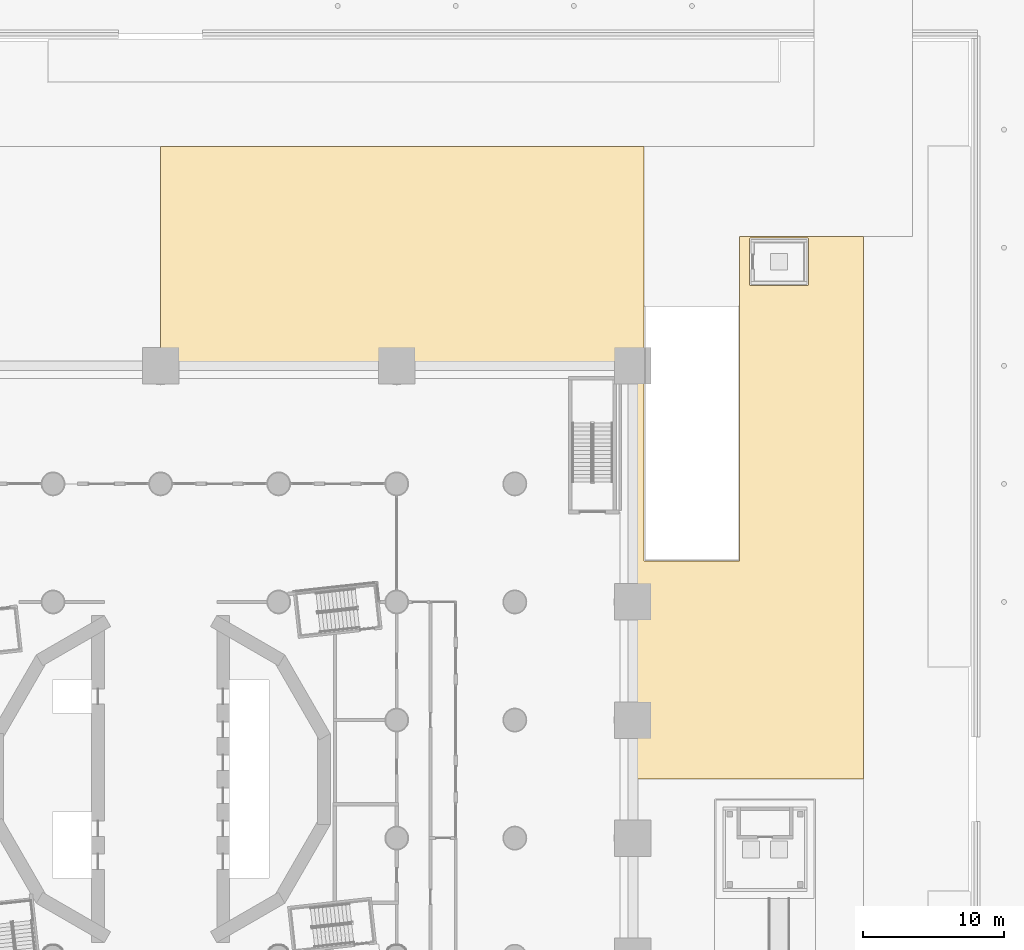
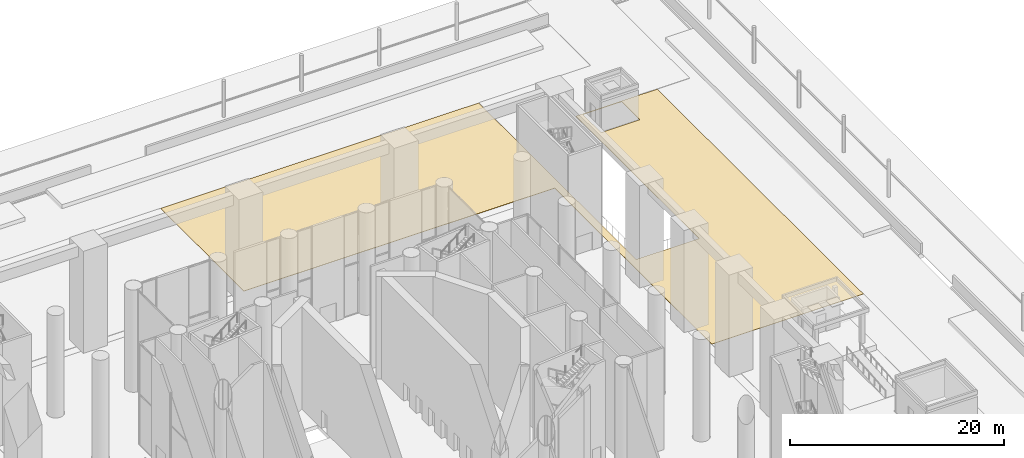
# One storey, part 45 of 52: 1 covering.
"""IFC4 building model written with IfcOpenShell, lengths in metres."""

from ifc_helpers import new_model, si_unit, direction, origin, place, context, subcontext, project, spatial, polyline, outline, extrude, material, layer, layer_set, type_object, element, save


model = new_model("IFC4")

# Units and contexts
model_context = context("Model", 3, precision=1e-05, world=origin(), true_north=direction((0.0, 1.0)))
body_context = subcontext(model_context, "Body", "Model", "MODEL_VIEW")
ifc_project = project(units=[si_unit("LENGTHUNIT", "METRE"), si_unit("AREAUNIT", "SQUARE_METRE"), si_unit("VOLUMEUNIT", "CUBIC_METRE"), si_unit("PLANEANGLEUNIT", "RADIAN"), si_unit("MASSUNIT", "GRAM", prefix="KILO")], contexts=[model_context])

# Site, building, storey
site_placement = place(None, origin())
site = spatial("IfcSite", under=ifc_project, at=site_placement, CompositionType="ELEMENT")
building_placement = place(site_placement, origin())
building = spatial("IfcBuilding", under=site, at=building_placement, Name="Cantera Rosa Tower", CompositionType="ELEMENT")
storey_placement = place(building_placement, origin())
storey = spatial("IfcBuildingStorey", under=building, at=storey_placement, Name="L00", CompositionType="ELEMENT", Elevation=0.0)

# Covering
ifc_material = material(Name="Stone paving", Category="masonry")
ifc_layer = layer(ifc_material, 0.0400390625)
ifc_layer_set = layer_set([ifc_layer], Name="Plaza paving 40")
covering_type = type_object("IfcCoveringType", Name="Plaza paving 40", PredefinedType="USERDEFINED", material=ifc_layer_set)
covering_placement = place(storey_placement, origin())
element("IfcCovering", 1, at=covering_placement, inside=storey, type_object=covering_type, Name="Plaza paving NE", ObjectType="PAVING", PredefinedType="USERDEFINED", context=body_context, shape_type="SweptSolid", body=[
    extrude(outline(polyline([(34.39990234375, 45.0), (0.0, 45.0), (0.0, 29.39990234375), (33.60009765625, 29.39990234375), (33.60009765625, 0.0), (50.0, 0.0), (50.0, 38.60009765625), (46.5, 38.60009765625), (41.199951171875, 38.60009765625), (41.199951171875, 33.60009765625), (41.199951171875, 15.5166015625), (34.39990234375, 15.5166015625), (34.39990234375, 33.60009765625), (34.39990234375, 38.60009765625), (34.39990234375, 45.0)]), holes=[polyline([(41.990234375, 35.1005859375), (42.0, 35.10009765625), (46.0, 35.10009765625), (46.009765625, 35.1005859375), (46.01953125, 35.101806640625), (46.029052734375, 35.104248046875), (46.038330078125, 35.107666015625), (46.047119140625, 35.11181640625), (46.0556640625, 35.116943359375), (46.0634765625, 35.122802734375), (46.07080078125, 35.12939453125), (46.077392578125, 35.13671875), (46.0830078125, 35.144287109375), (46.088134765625, 35.15283203125), (46.09228515625, 35.16162109375), (46.095703125, 35.1708984375), (46.09814453125, 35.180419921875), (46.099609375, 35.190185546875), (46.10009765625, 35.199951171875), (46.10009765625, 38.39990234375), (46.099609375, 38.409912109375), (46.09814453125, 38.41943359375), (46.095703125, 38.428955078125), (46.09228515625, 38.438232421875), (46.088134765625, 38.447021484375), (46.0830078125, 38.45556640625), (46.077392578125, 38.46337890625), (46.07080078125, 38.470703125), (46.0634765625, 38.477294921875), (46.0556640625, 38.483154296875), (46.047119140625, 38.48828125), (46.038330078125, 38.492431640625), (46.029052734375, 38.49560546875), (46.01953125, 38.498046875), (46.009765625, 38.49951171875), (46.0, 38.5), (42.0, 38.5), (41.990234375, 38.49951171875), (41.98046875, 38.498046875), (41.970947265625, 38.49560546875), (41.961669921875, 38.492431640625), (41.952880859375, 38.48828125), (41.9443359375, 38.483154296875), (41.9365234375, 38.477294921875), (41.92919921875, 38.470703125), (41.922607421875, 38.46337890625), (41.9169921875, 38.45556640625), (41.911865234375, 38.447021484375), (41.90771484375, 38.438232421875), (41.904296875, 38.428955078125), (41.90185546875, 38.41943359375), (41.900390625, 38.409912109375), (41.89990234375, 38.39990234375), (41.89990234375, 35.199951171875), (41.900390625, 35.190185546875), (41.90185546875, 35.180419921875), (41.904296875, 35.1708984375), (41.90771484375, 35.16162109375), (41.911865234375, 35.15283203125), (41.9169921875, 35.144287109375), (41.922607421875, 35.13671875), (41.92919921875, 35.12939453125), (41.9365234375, 35.122802734375), (41.9443359375, 35.116943359375), (41.952880859375, 35.11181640625), (41.961669921875, 35.107666015625), (41.970947265625, 35.104248046875), (41.98046875, 35.101806640625), (41.990234375, 35.1005859375)])]), origin(), (0.0, 0.0, 1.0), 0.0400390625),
])

save(model, "model.ifc")
